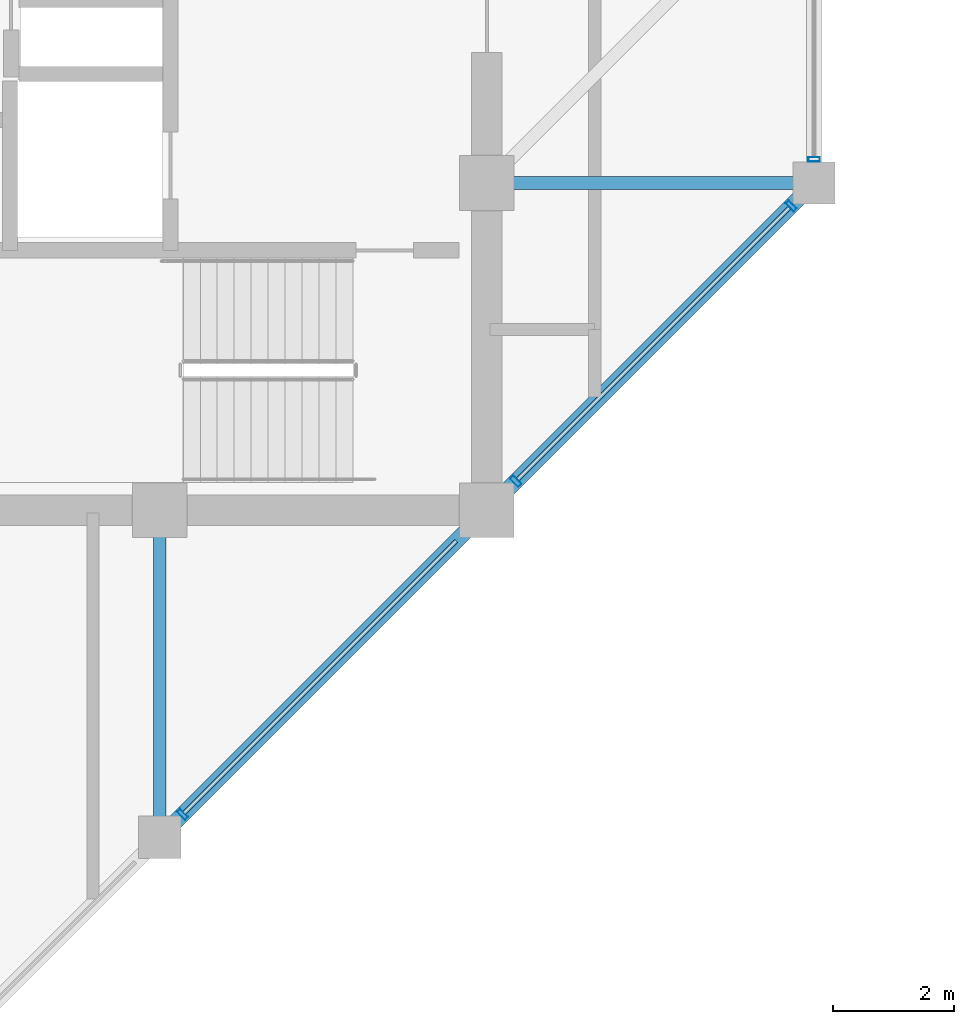
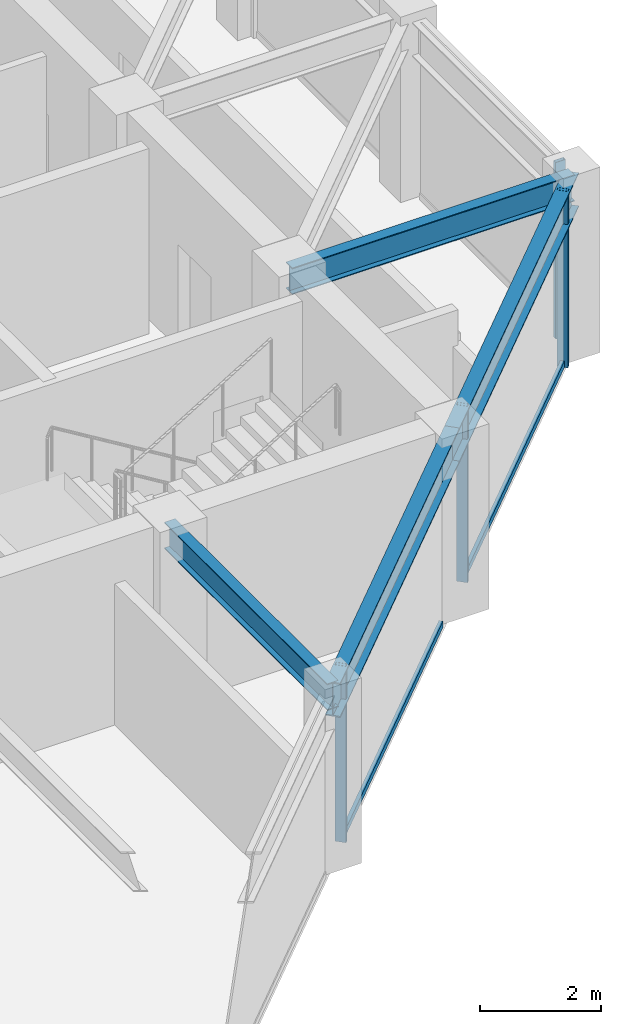
# One storey, part 9 of 31: 6 members, 4 beams, 2 elements without a shape of their own.
"""IFC4 building model written with IfcOpenShell, lengths in metres."""

import ifcopenshell
import ifcopenshell.guid

model = None  # the IFC model being written
_history = None  # IfcOwnerHistory: only IFC2X3 demands one
_inside = {}  # id of a spatial element -> (the spatial element, [elements in it])
_under = {}  # id of a project, library or spatial element -> (it, [spatial elements below it])
_declared = {}  # id of a project -> (the project, [libraries it declares])
_typed = {}  # id of a type object -> (the type object, [elements of that type])
_made_of = {}  # id of a material, layer set ... -> (it, [elements and type objects made of it])


def new_model(schema):
    """Start an empty IFC model of exactly this schema.

    Asked for "IFC4X3", IfcOpenShell would pick the latest addendum, in which some entities
    have other attributes; the version numbers below select the first issue.
    IFC2X3 requires an IfcOwnerHistory on every rooted entity: one is made here for all.
    """
    global model, _history
    if schema == "IFC4X3":
        model = ifcopenshell.file(schema_version=(4, 3, 0, 0))
    else:
        model = ifcopenshell.file(schema=schema)
    _inside.clear()
    _under.clear()
    _declared.clear()
    _typed.clear()
    _made_of.clear()
    _history = None
    if model.schema == "IFC2X3":
        org = make("IfcOrganization", Name="unknown")
        user = make(
            "IfcPersonAndOrganization",
            ThePerson=make("IfcPerson", FamilyName="unknown"),
            TheOrganization=org,
        )
        app = make(
            "IfcApplication",
            ApplicationDeveloper=org,
            Version="unknown",
            ApplicationFullName="unknown",
            ApplicationIdentifier="unknown",
        )
        _history = make(
            "IfcOwnerHistory",
            OwningUser=user,
            OwningApplication=app,
            ChangeAction="ADDED",
            CreationDate=0,
        )
    return model


def make(cls, **values):
    """One entity of the class cls with the attributes given. An attribute that is None is left unset."""
    return model.create_entity(
        cls, **{name: value for name, value in values.items() if value is not None}
    )


def rooted(cls, **values):
    """An entity with a GlobalId (a new one), such as an element, a storey or a relation."""
    return make(cls, GlobalId=ifcopenshell.guid.new(), OwnerHistory=_history, **values)


def si_unit(unit_type, name, prefix=None):
    """IfcSIUnit, for example si_unit("LENGTHUNIT", "METRE", prefix="MILLI")."""
    return make("IfcSIUnit", UnitType=unit_type, Prefix=prefix, Name=name)


def assignment(units):
    """IfcUnitAssignment: the units of a project."""
    return None if units is None else make("IfcUnitAssignment", Units=units)


def point(xyz):
    """IfcCartesianPoint."""
    return None if xyz is None else make("IfcCartesianPoint", Coordinates=xyz)


def direction(xyz):
    """IfcDirection."""
    return None if xyz is None else make("IfcDirection", DirectionRatios=xyz)


def frame(location, z_axis=None, x_axis=None):
    """IfcAxis2Placement3D, a coordinate frame: its origin and axes. An axis left out is left unset."""
    return make(
        "IfcAxis2Placement3D",
        Location=point(location),
        Axis=direction(z_axis),
        RefDirection=direction(x_axis),
    )


def frame_2d(location, x_axis=None):
    """IfcAxis2Placement2D, a coordinate frame in the plane: its origin and x axis."""
    return make(
        "IfcAxis2Placement2D", Location=point(location), RefDirection=direction(x_axis)
    )


def origin():
    """The frame at (0, 0, 0) with its axes left unset."""
    return frame((0.0, 0.0, 0.0))


def origin_2d():
    """The frame at (0, 0) in the plane with its x axis left unset."""
    return frame_2d((0.0, 0.0))


def place(relative_to, where):
    """IfcLocalPlacement: puts the frame where relative to a parent placement (None: the world)."""
    return make(
        "IfcLocalPlacement", PlacementRelTo=relative_to, RelativePlacement=where
    )


def context(
    kind, dimensions, precision=None, world=None, true_north=None, identifier=None
):
    """IfcGeometricRepresentationContext, for example the 3D "Model" context."""
    return make(
        "IfcGeometricRepresentationContext",
        ContextIdentifier=identifier,
        ContextType=kind,
        CoordinateSpaceDimension=dimensions,
        Precision=precision,
        WorldCoordinateSystem=world,
        TrueNorth=true_north,
    )


def subcontext(parent, identifier, kind, view, scale=None):
    """IfcGeometricRepresentationSubContext, for example "Body" below "Model"."""
    return make(
        "IfcGeometricRepresentationSubContext",
        ContextIdentifier=identifier,
        ContextType=kind,
        ParentContext=parent,
        TargetScale=scale,
        TargetView=view,
    )


def project(units=None, contexts=None):
    """IfcProject with its units and contexts."""
    return rooted(
        "IfcProject",
        Name="project",
        RepresentationContexts=contexts,
        UnitsInContext=assignment(units),
    )


def spatial(cls, under=None, at=None, **own):
    """A site, building, storey or space (cls), placed at a placement, below another one or the project."""
    s = rooted(cls, ObjectPlacement=at, **own)
    if under is not None:
        _under.setdefault(under.id(), (under, []))[1].append(s)
    return s


def profile(cls, at=None, kind="AREA", **sizes):
    """A parametric profile (cls). Its sizes go by their IFC names, for example OverallWidth=200.0."""
    return make(cls, ProfileType=kind, Position=at, **sizes)


def hollow_rectangle(**sizes):
    """IfcRectangleHollowProfileDef."""
    return profile("IfcRectangleHollowProfileDef", **sizes)


def i_section(**sizes):
    """IfcIShapeProfileDef."""
    return profile("IfcIShapeProfileDef", **sizes)


def extrude(swept, where, along, depth):
    """IfcExtrudedAreaSolid: the profile swept, set in the frame where, extruded along a direction by depth."""
    return make(
        "IfcExtrudedAreaSolid",
        SweptArea=swept,
        Position=where,
        ExtrudedDirection=direction(along),
        Depth=depth,
    )


def shape(context_of_items, identifier, shape_type, items):
    """IfcShapeRepresentation: the items that make up one representation, for example the "Body"."""
    return make(
        "IfcShapeRepresentation",
        ContextOfItems=context_of_items,
        RepresentationIdentifier=identifier,
        RepresentationType=shape_type,
        Items=items,
    )


def material(Name=None, Category=None):
    """IfcMaterial."""
    return make("IfcMaterial", Name=Name, Category=Category)


def layer(
    of_material, thickness, ventilated=None, Name=None, Category=None, Priority=None
):
    """IfcMaterialLayer: one layer of a wall or slab, of a material (None: an air gap)."""
    return make(
        "IfcMaterialLayer",
        Material=of_material,
        LayerThickness=thickness,
        IsVentilated=ventilated,
        Name=Name,
        Category=Category,
        Priority=Priority,
    )


def layer_set(layers, Name=None):
    """IfcMaterialLayerSet."""
    return make("IfcMaterialLayerSet", MaterialLayers=layers, LayerSetName=Name)


def material_profile(
    of_material, cross_section, Name=None, Category=None, Priority=None
):
    """IfcMaterialProfile: a cross section and its material."""
    return make(
        "IfcMaterialProfile",
        Name=Name,
        Material=of_material,
        Profile=cross_section,
        Priority=Priority,
        Category=Category,
    )


def profile_set(profiles, Name=None, composite=None):
    """IfcMaterialProfileSet."""
    return make(
        "IfcMaterialProfileSet",
        Name=Name,
        MaterialProfiles=profiles,
        CompositeProfile=composite,
    )


def made_of(thing, what):
    """Note that an element or type object is made of a material, layer set ...; save() writes the relation."""
    if what is not None:
        _made_of.setdefault(what.id(), (what, []))[1].append(thing)
    return thing


def type_object(cls, material=None, **own):
    """A type object (cls), such as IfcWallType, which elements share."""
    return made_of(rooted(cls, **own), material)


def element(
    cls,
    number,
    at=None,
    inside=None,
    cuts=None,
    type_object=None,
    material=None,
    context=None,
    identifier="Body",
    shape_type=None,
    held_by="IfcProductDefinitionShape",
    body=None,
    shapes=None,
    **own,
):
    """One element of the class cls, such as IfcWall. Its Tag is "e" and its number.

    at: its placement. inside: the storey or other place that contains it. cuts: it is an
    opening in that element (IfcRelVoidsElement). A single representation is given by context,
    identifier, shape_type and body (its items); several are given by shapes. held_by: the class
    of the entity that holds the representations. save() writes the other relations.
    """
    e = rooted(cls, Tag="e%d" % number, ObjectPlacement=at, **own)
    if body is not None:
        shapes = [shape(context, identifier, shape_type, body)]
    if shapes is not None:
        e.Representation = make(held_by, Representations=shapes)
    if inside is not None:
        _inside.setdefault(inside.id(), (inside, []))[1].append(e)
    if cuts is not None:
        rooted(
            "IfcRelVoidsElement", RelatingBuildingElement=cuts, RelatedOpeningElement=e
        )
    if type_object is not None:
        _typed.setdefault(type_object.id(), (type_object, []))[1].append(e)
    return made_of(e, material)


def aggregate(whole, parts):
    """IfcRelAggregates: a whole, such as a stair, and the parts it consists of."""
    return rooted("IfcRelAggregates", RelatingObject=whole, RelatedObjects=parts)


def save(model, path):
    """Write the relations noted so far, then the file.

    IfcRelAggregates (storeys below a building ...), IfcRelContainedInSpatialStructure (elements
    in a storey), IfcRelDefinesByType, IfcRelAssociatesMaterial and IfcRelDeclares: one each for
    every whole, place, type object, material and project.
    """
    for whole, parts in _under.values():
        aggregate(whole, parts)
    for where, things in _inside.values():
        rooted(
            "IfcRelContainedInSpatialStructure",
            RelatedElements=things,
            RelatingStructure=where,
        )
    for kind, things in _typed.values():
        rooted("IfcRelDefinesByType", RelatedObjects=things, RelatingType=kind)
    for what, things in _made_of.values():
        rooted("IfcRelAssociatesMaterial", RelatedObjects=things, RelatingMaterial=what)
    for by, libraries in _declared.values():
        rooted("IfcRelDeclares", RelatingContext=by, RelatedDefinitions=libraries)
    model.write(path)


model = new_model("IFC4")

# Units and contexts
model_context = context("Model", 3, precision=1e-05, world=origin(), true_north=direction((0.0, 1.0)))
body_context = subcontext(model_context, "Body", "Model", "MODEL_VIEW")
ifc_project = project(units=[si_unit("LENGTHUNIT", "METRE"), si_unit("AREAUNIT", "SQUARE_METRE"), si_unit("VOLUMEUNIT", "CUBIC_METRE"), si_unit("PLANEANGLEUNIT", "RADIAN"), si_unit("MASSUNIT", "GRAM", prefix="KILO")], contexts=[model_context])

# Site, building, storey
site_placement = place(None, origin())
site = spatial("IfcSite", under=ifc_project, at=site_placement, CompositionType="ELEMENT")
building_placement = place(site_placement, origin())
building = spatial("IfcBuilding", under=site, at=building_placement, Name="Surkhivell Harbour Commons", CompositionType="ELEMENT")
storey_placement = place(building_placement, frame((0.0, 0.0, 262.5)))
storey = spatial("IfcBuildingStorey", under=building, at=storey_placement, Name="L68", CompositionType="ELEMENT", Elevation=262.5)

# Beams
ifc_material_1 = material(Name="Steel S355", Category="steel")
ifc_material_profile_1 = material_profile(ifc_material_1, i_section(OverallWidth=0.2099609375, OverallDepth=0.537109375, WebThickness=0.0107421875, FlangeThickness=0.017333984375, at=origin_2d()), Name="UB533x210x101")
ifc_profile_set_1 = profile_set([ifc_material_profile_1], Name="Steel S355")
beam_type_1 = type_object("IfcBeamType", Name="BM-GRD-533B", PredefinedType="BEAM", material=ifc_profile_set_1)
for number, where, z_axis, x_axis, name in (
    (1, (5.39990234375, -16.199951171875, 3.301513671875), (0.0, 1.0, 0.0), (-1.0, 0.0, 0.0), "L68 Floor Girder (5.4,-16.2)"),
    (2, (10.800048828125, -5.39990234375, 3.301513671875), (1.0, 0.0, 0.0), (0.0, 1.0, 0.0), "L68 Floor Girder (10.8,-5.4)"),
):
    element("IfcBeam", number, at=place(storey_placement, frame(where, z_axis=z_axis, x_axis=x_axis)), inside=storey, type_object=beam_type_1, Name=name, PredefinedType="BEAM", context=body_context, shape_type="SweptSolid", body=[
        extrude(i_section(OverallWidth=0.2099609375, OverallDepth=0.537109375, WebThickness=0.0107421875, FlangeThickness=0.017333984375, at=origin_2d()), origin(), (0.0, 0.0, 1.0), 5.39990234375),
    ])
ifc_material_profile_2 = material_profile(ifc_material_1, i_section(OverallWidth=0.256103515625, OverallDepth=0.693115234375, WebThickness=0.014404296875, FlangeThickness=0.023681640625, at=origin_2d()), Name="UB686x254x170")
ifc_profile_set_2 = profile_set([ifc_material_profile_2], Name="Steel S355")
beam_type_2 = type_object("IfcBeamType", Name="BM-SPN-686", PredefinedType="SPANDREL", material=ifc_profile_set_2)
for number, where, z_axis, x_axis, name in (
    (3, (5.39990234375, -16.199951171875, 3.223388671875), (0.707122765516, 0.707090796496, 0.0), (-0.707090796496, 0.707122765516, 0.0), "L68 Tube Spandrel (5.4,-16.2)"),
    (4, (10.800048828125, -10.800048828125, 3.223388671875), (0.707090796496, 0.707122765516, 0.0), (-0.707122765516, 0.707090796496, 0.0), "L68 Tube Spandrel (10.8,-10.8)"),
):
    element("IfcBeam", number, at=place(storey_placement, frame(where, z_axis=z_axis, x_axis=x_axis)), inside=storey, type_object=beam_type_2, Name=name, PredefinedType="SPANDREL", context=body_context, shape_type="SweptSolid", body=[
        extrude(i_section(OverallWidth=0.256103515625, OverallDepth=0.693115234375, WebThickness=0.014404296875, FlangeThickness=0.023681640625, at=origin_2d()), origin(), (0.0, 0.0, 1.0), 7.63671875),
    ])

# Curtain wall, members
ifc_material_2 = material(Name="Anodised pale-metal aluminium and insulated glazing", Category="aluminium")
ifc_layer = layer(ifc_material_2, 0.175048828125)
ifc_layer_set = layer_set([ifc_layer], Name="Anodised pale-metal aluminium and insulated glazing")
curtain_wall_type = type_object("IfcCurtainWallType", Name="CW-SYS-Z4", PredefinedType="NOTDEFINED", material=ifc_layer_set)
curtain_wall_1_placement = place(storey_placement, origin())
curtain_wall_1 = element("IfcCurtainWall", 5, at=curtain_wall_1_placement, inside=storey, type_object=curtain_wall_type, Name="L68 Curtain Wall CW-L68-E01", PredefinedType="NOTDEFINED")
ifc_material_3 = material(Name="Anodised pale-metal aluminium alloy 6063-T6", Category="aluminium")
ifc_material_profile_3 = material_profile(ifc_material_3, hollow_rectangle(XDim=0.074951171875, YDim=0.18994140625, WallThickness=0.00390625, at=origin_2d()), Name="ALU-MULL-75x190")
ifc_profile_set_3 = profile_set([ifc_material_profile_3], Name="Anodised pale-metal aluminium alloy 6063-T6")
member_type_1 = type_object("IfcMemberType", Name="CWM-190", PredefinedType="MULLION", material=ifc_profile_set_3)
member_1_placement = place(storey_placement, frame((5.778076171875, -15.82177734375, 0.0), z_axis=(0.0, 0.0, 1.0), x_axis=(0.707106781187, 0.707106781187, 0.0)))
member_1 = element("IfcMember", 6, at=member_1_placement, type_object=member_type_1, Name="CW-Z4 mullion 2", PredefinedType="MULLION", context=body_context, shape_type="SweptSolid", body=[
    extrude(hollow_rectangle(XDim=0.074951171875, YDim=0.18994140625, WallThickness=0.00390625, at=origin_2d()), origin(), (0.0, 0.0, 1.0), 3.570068359375),
])
member_2_placement = place(storey_placement, frame((11.278076171875, -10.32177734375, 0.0), z_axis=(0.0, 0.0, 1.0), x_axis=(0.707106781187, 0.707106781187, 0.0)))
member_2 = element("IfcMember", 7, at=member_2_placement, type_object=member_type_1, Name="CW-Z4 mullion 3", PredefinedType="MULLION", context=body_context, shape_type="SweptSolid", body=[
    extrude(hollow_rectangle(XDim=0.074951171875, YDim=0.18994140625, WallThickness=0.00390625, at=origin_2d()), origin(), (0.0, 0.0, 1.0), 3.570068359375),
])
member_3_placement = place(storey_placement, frame((15.82177734375, -5.778076171875, 0.0), z_axis=(0.0, 0.0, 1.0), x_axis=(0.707106781187, 0.707106781187, 0.0)))
member_3 = element("IfcMember", 8, at=member_3_placement, type_object=member_type_1, Name="CW-Z4 mullion 4", PredefinedType="MULLION", context=body_context, shape_type="SweptSolid", body=[
    extrude(hollow_rectangle(XDim=0.074951171875, YDim=0.18994140625, WallThickness=0.00390625, at=origin_2d()), origin(), (0.0, 0.0, 1.0), 3.570068359375),
])

# Curtain wall, member
curtain_wall_2_placement = place(storey_placement, origin())
curtain_wall_2 = element("IfcCurtainWall", 9, at=curtain_wall_2_placement, inside=storey, type_object=curtain_wall_type, Name="L68 Curtain Wall CW-L68-E02R1", PredefinedType="NOTDEFINED")
member_4_placement = place(storey_placement, frame((16.199951171875, -5.010498046875, 0.0), z_axis=(0.0, 0.0, 1.0), x_axis=(0.0, 1.0, 0.0)))
member_4 = element("IfcMember", 10, at=member_4_placement, type_object=member_type_1, Name="CW-Z4 mullion 1", PredefinedType="MULLION", context=body_context, shape_type="SweptSolid", body=[
    extrude(hollow_rectangle(XDim=0.074951171875, YDim=0.18994140625, WallThickness=0.00390625, at=origin_2d()), origin(), (0.0, 0.0, 1.0), 3.570068359375),
])
aggregate(curtain_wall_2, [member_4])

# Member
ifc_material_4 = material(Name="Champagne anodised aluminium alloy 6063-T6", Category="aluminium")
ifc_material_profile_4 = material_profile(ifc_material_4, hollow_rectangle(XDim=0.070068359375, YDim=0.1298828125, WallThickness=0.00341796875, at=origin_2d()), Name="ALU-TRAN-70x130")
ifc_profile_set_4 = profile_set([ifc_material_profile_4], Name="Champagne anodised aluminium alloy 6063-T6")
member_type_2 = type_object("IfcMemberType", Name="CWT-130", PredefinedType="USERDEFINED", material=ifc_profile_set_4)
member_5_placement = place(storey_placement, frame((5.8046875, -15.79541015625, 0.06494140625), z_axis=(0.707106781187, 0.707106781187, 0.0), x_axis=(-0.707106781187, 0.707106781187, 0.0)))
member_5 = element("IfcMember", 11, at=member_5_placement, type_object=member_type_2, Name="CW-Z4 transom 2.1", ObjectType="TRANSOM", PredefinedType="USERDEFINED", context=body_context, shape_type="SweptSolid", body=[
    extrude(hollow_rectangle(XDim=0.070068359375, YDim=0.1298828125, WallThickness=0.00341796875, at=origin_2d()), origin(), (0.0, 0.0, 1.0), 6.350830078125),
])

member_6_placement = place(storey_placement, frame((11.3046875, -10.29541015625, 0.06494140625), z_axis=(0.707106781187, 0.707106781187, 0.0), x_axis=(-0.707106781187, 0.707106781187, 0.0)))
member_6 = element("IfcMember", 12, at=member_6_placement, type_object=member_type_2, Name="CW-Z4 transom 3.1", ObjectType="TRANSOM", PredefinedType="USERDEFINED", context=body_context, shape_type="SweptSolid", body=[
    extrude(hollow_rectangle(XDim=0.070068359375, YDim=0.1298828125, WallThickness=0.00341796875, at=origin_2d()), origin(), (0.0, 0.0, 1.0), 6.350830078125),
])

aggregate(curtain_wall_1, [member_1, member_5, member_2, member_3, member_6])

save(model, "model.ifc")
